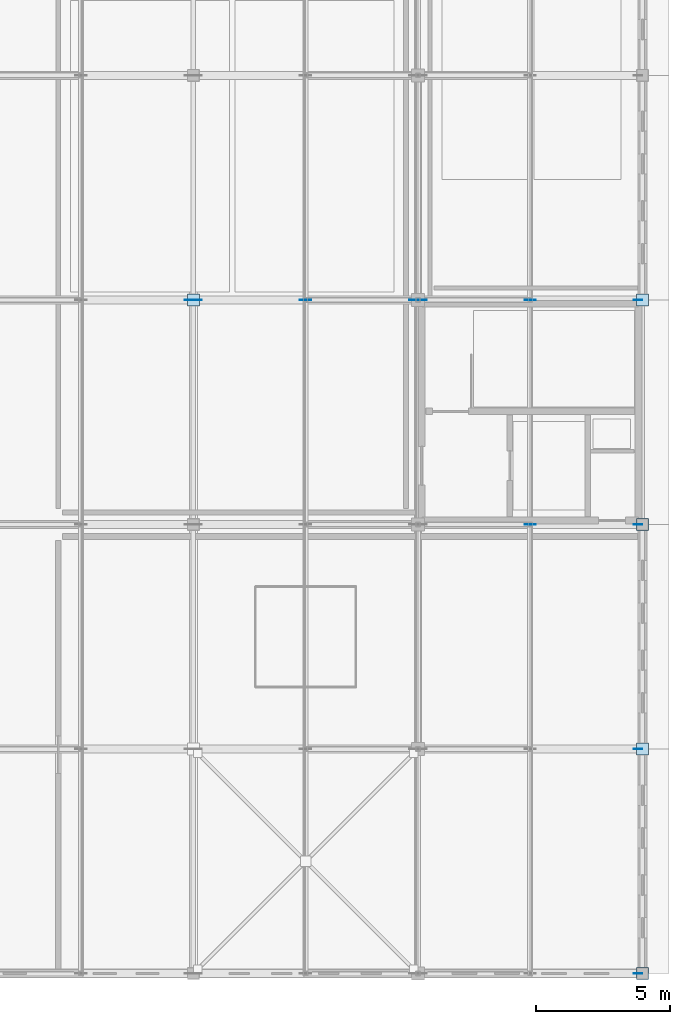
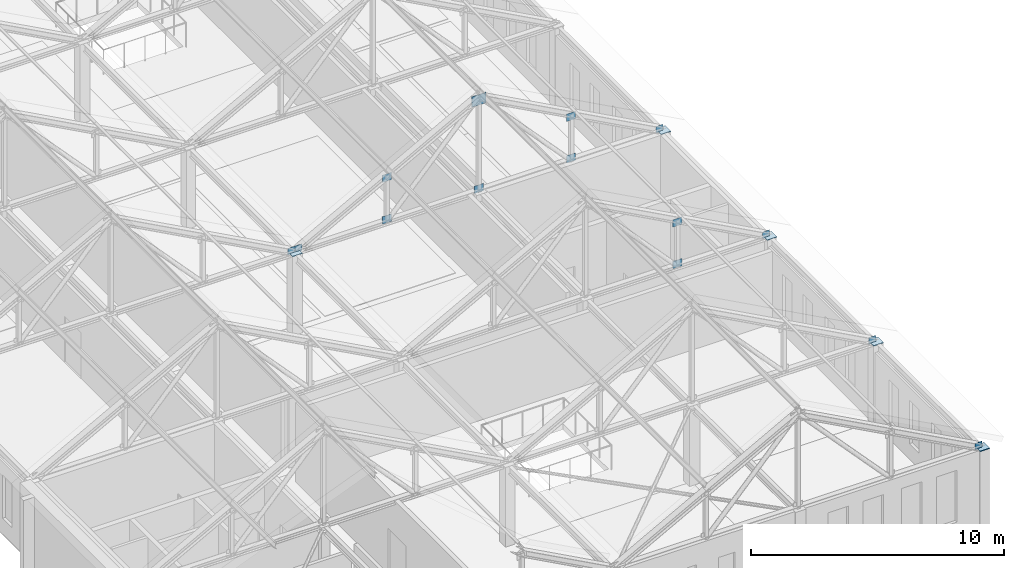
# One storey, part 21 of 36: 19 plates.
"""IFC4 building model written with IfcOpenShell, lengths in metres."""

import ifcopenshell
import ifcopenshell.guid

model = None  # the IFC model being written
_history = None  # IfcOwnerHistory: only IFC2X3 demands one
_inside = {}  # id of a spatial element -> (the spatial element, [elements in it])
_under = {}  # id of a project, library or spatial element -> (it, [spatial elements below it])
_declared = {}  # id of a project -> (the project, [libraries it declares])
_typed = {}  # id of a type object -> (the type object, [elements of that type])
_made_of = {}  # id of a material, layer set ... -> (it, [elements and type objects made of it])


def new_model(schema):
    """Start an empty IFC model of exactly this schema.

    Asked for "IFC4X3", IfcOpenShell would pick the latest addendum, in which some entities
    have other attributes; the version numbers below select the first issue.
    IFC2X3 requires an IfcOwnerHistory on every rooted entity: one is made here for all.
    """
    global model, _history
    if schema == "IFC4X3":
        model = ifcopenshell.file(schema_version=(4, 3, 0, 0))
    else:
        model = ifcopenshell.file(schema=schema)
    _inside.clear()
    _under.clear()
    _declared.clear()
    _typed.clear()
    _made_of.clear()
    _history = None
    if model.schema == "IFC2X3":
        org = make("IfcOrganization", Name="unknown")
        user = make(
            "IfcPersonAndOrganization",
            ThePerson=make("IfcPerson", FamilyName="unknown"),
            TheOrganization=org,
        )
        app = make(
            "IfcApplication",
            ApplicationDeveloper=org,
            Version="unknown",
            ApplicationFullName="unknown",
            ApplicationIdentifier="unknown",
        )
        _history = make(
            "IfcOwnerHistory",
            OwningUser=user,
            OwningApplication=app,
            ChangeAction="ADDED",
            CreationDate=0,
        )
    return model


def make(cls, **values):
    """One entity of the class cls with the attributes given. An attribute that is None is left unset."""
    return model.create_entity(
        cls, **{name: value for name, value in values.items() if value is not None}
    )


def rooted(cls, **values):
    """An entity with a GlobalId (a new one), such as an element, a storey or a relation."""
    return make(cls, GlobalId=ifcopenshell.guid.new(), OwnerHistory=_history, **values)


def si_unit(unit_type, name, prefix=None):
    """IfcSIUnit, for example si_unit("LENGTHUNIT", "METRE", prefix="MILLI")."""
    return make("IfcSIUnit", UnitType=unit_type, Prefix=prefix, Name=name)


def assignment(units):
    """IfcUnitAssignment: the units of a project."""
    return None if units is None else make("IfcUnitAssignment", Units=units)


def point(xyz):
    """IfcCartesianPoint."""
    return None if xyz is None else make("IfcCartesianPoint", Coordinates=xyz)


def direction(xyz):
    """IfcDirection."""
    return None if xyz is None else make("IfcDirection", DirectionRatios=xyz)


def frame(location, z_axis=None, x_axis=None):
    """IfcAxis2Placement3D, a coordinate frame: its origin and axes. An axis left out is left unset."""
    return make(
        "IfcAxis2Placement3D",
        Location=point(location),
        Axis=direction(z_axis),
        RefDirection=direction(x_axis),
    )


def frame_2d(location, x_axis=None):
    """IfcAxis2Placement2D, a coordinate frame in the plane: its origin and x axis."""
    return make(
        "IfcAxis2Placement2D", Location=point(location), RefDirection=direction(x_axis)
    )


def origin():
    """The frame at (0, 0, 0) with its axes left unset."""
    return frame((0.0, 0.0, 0.0))


def origin_2d():
    """The frame at (0, 0) in the plane with its x axis left unset."""
    return frame_2d((0.0, 0.0))


def place(relative_to, where):
    """IfcLocalPlacement: puts the frame where relative to a parent placement (None: the world)."""
    return make(
        "IfcLocalPlacement", PlacementRelTo=relative_to, RelativePlacement=where
    )


def context(
    kind, dimensions, precision=None, world=None, true_north=None, identifier=None
):
    """IfcGeometricRepresentationContext, for example the 3D "Model" context."""
    return make(
        "IfcGeometricRepresentationContext",
        ContextIdentifier=identifier,
        ContextType=kind,
        CoordinateSpaceDimension=dimensions,
        Precision=precision,
        WorldCoordinateSystem=world,
        TrueNorth=true_north,
    )


def subcontext(parent, identifier, kind, view, scale=None):
    """IfcGeometricRepresentationSubContext, for example "Body" below "Model"."""
    return make(
        "IfcGeometricRepresentationSubContext",
        ContextIdentifier=identifier,
        ContextType=kind,
        ParentContext=parent,
        TargetScale=scale,
        TargetView=view,
    )


def project(units=None, contexts=None):
    """IfcProject with its units and contexts."""
    return rooted(
        "IfcProject",
        Name="project",
        RepresentationContexts=contexts,
        UnitsInContext=assignment(units),
    )


def spatial(cls, under=None, at=None, **own):
    """A site, building, storey or space (cls), placed at a placement, below another one or the project."""
    s = rooted(cls, ObjectPlacement=at, **own)
    if under is not None:
        _under.setdefault(under.id(), (under, []))[1].append(s)
    return s


def profile(cls, at=None, kind="AREA", **sizes):
    """A parametric profile (cls). Its sizes go by their IFC names, for example OverallWidth=200.0."""
    return make(cls, ProfileType=kind, Position=at, **sizes)


def rectangle(**sizes):
    """IfcRectangleProfileDef."""
    return profile("IfcRectangleProfileDef", **sizes)


def extrude(swept, where, along, depth):
    """IfcExtrudedAreaSolid: the profile swept, set in the frame where, extruded along a direction by depth."""
    return make(
        "IfcExtrudedAreaSolid",
        SweptArea=swept,
        Position=where,
        ExtrudedDirection=direction(along),
        Depth=depth,
    )


def shape(context_of_items, identifier, shape_type, items):
    """IfcShapeRepresentation: the items that make up one representation, for example the "Body"."""
    return make(
        "IfcShapeRepresentation",
        ContextOfItems=context_of_items,
        RepresentationIdentifier=identifier,
        RepresentationType=shape_type,
        Items=items,
    )


def material(Name=None, Category=None):
    """IfcMaterial."""
    return make("IfcMaterial", Name=Name, Category=Category)


def layer(
    of_material, thickness, ventilated=None, Name=None, Category=None, Priority=None
):
    """IfcMaterialLayer: one layer of a wall or slab, of a material (None: an air gap)."""
    return make(
        "IfcMaterialLayer",
        Material=of_material,
        LayerThickness=thickness,
        IsVentilated=ventilated,
        Name=Name,
        Category=Category,
        Priority=Priority,
    )


def layer_set(layers, Name=None):
    """IfcMaterialLayerSet."""
    return make("IfcMaterialLayerSet", MaterialLayers=layers, LayerSetName=Name)


def made_of(thing, what):
    """Note that an element or type object is made of a material, layer set ...; save() writes the relation."""
    if what is not None:
        _made_of.setdefault(what.id(), (what, []))[1].append(thing)
    return thing


def type_object(cls, material=None, **own):
    """A type object (cls), such as IfcWallType, which elements share."""
    return made_of(rooted(cls, **own), material)


def element(
    cls,
    number,
    at=None,
    inside=None,
    cuts=None,
    type_object=None,
    material=None,
    context=None,
    identifier="Body",
    shape_type=None,
    held_by="IfcProductDefinitionShape",
    body=None,
    shapes=None,
    **own,
):
    """One element of the class cls, such as IfcWall. Its Tag is "e" and its number.

    at: its placement. inside: the storey or other place that contains it. cuts: it is an
    opening in that element (IfcRelVoidsElement). A single representation is given by context,
    identifier, shape_type and body (its items); several are given by shapes. held_by: the class
    of the entity that holds the representations. save() writes the other relations.
    """
    e = rooted(cls, Tag="e%d" % number, ObjectPlacement=at, **own)
    if body is not None:
        shapes = [shape(context, identifier, shape_type, body)]
    if shapes is not None:
        e.Representation = make(held_by, Representations=shapes)
    if inside is not None:
        _inside.setdefault(inside.id(), (inside, []))[1].append(e)
    if cuts is not None:
        rooted(
            "IfcRelVoidsElement", RelatingBuildingElement=cuts, RelatedOpeningElement=e
        )
    if type_object is not None:
        _typed.setdefault(type_object.id(), (type_object, []))[1].append(e)
    return made_of(e, material)


def aggregate(whole, parts):
    """IfcRelAggregates: a whole, such as a stair, and the parts it consists of."""
    return rooted("IfcRelAggregates", RelatingObject=whole, RelatedObjects=parts)


def save(model, path):
    """Write the relations noted so far, then the file.

    IfcRelAggregates (storeys below a building ...), IfcRelContainedInSpatialStructure (elements
    in a storey), IfcRelDefinesByType, IfcRelAssociatesMaterial and IfcRelDeclares: one each for
    every whole, place, type object, material and project.
    """
    for whole, parts in _under.values():
        aggregate(whole, parts)
    for where, things in _inside.values():
        rooted(
            "IfcRelContainedInSpatialStructure",
            RelatedElements=things,
            RelatingStructure=where,
        )
    for kind, things in _typed.values():
        rooted("IfcRelDefinesByType", RelatedObjects=things, RelatingType=kind)
    for what, things in _made_of.values():
        rooted("IfcRelAssociatesMaterial", RelatedObjects=things, RelatingMaterial=what)
    for by, libraries in _declared.values():
        rooted("IfcRelDeclares", RelatingContext=by, RelatedDefinitions=libraries)
    model.write(path)


model = new_model("IFC4")

# Units and contexts
model_context = context("Model", 3, precision=1e-05, world=origin(), true_north=direction((0.0, 1.0)))
body_context = subcontext(model_context, "Body", "Model", "MODEL_VIEW")
ifc_project = project(units=[si_unit("LENGTHUNIT", "METRE"), si_unit("AREAUNIT", "SQUARE_METRE"), si_unit("VOLUMEUNIT", "CUBIC_METRE"), si_unit("PLANEANGLEUNIT", "RADIAN"), si_unit("MASSUNIT", "GRAM", prefix="KILO")], contexts=[model_context])

# Site, building, storey
site_placement = place(None, origin())
site = spatial("IfcSite", under=ifc_project, at=site_placement, CompositionType="ELEMENT")
building_placement = place(site_placement, origin())
building = spatial("IfcBuilding", under=site, at=building_placement, Name="Kveldsbrygga Polytechnic", CompositionType="ELEMENT")
storey_placement = place(building_placement, frame((0.0, 0.0, 26.179931640625)))
storey = spatial("IfcBuildingStorey", under=building, at=storey_placement, Name="L06", CompositionType="ELEMENT", Elevation=26.179931640625)

# Plates
ifc_material = material(Name="Steel S355", Category="steel")
ifc_layer_1 = layer(ifc_material, 0.030029296875)
ifc_layer_set_1 = layer_set([ifc_layer_1], Name="Steel S355")
plate_type_1 = type_object("IfcPlateType", Name="CAP-BEAR-450", PredefinedType="SHEET", material=ifc_layer_set_1)
for number, where, z_axis, x_axis, name in (
    (1, (142.800048828125, 42.0, 3.81005859375), (0.0, 0.0, 1.0), (1.0, 0.0, 0.0), "Truss Bearing Plate V4M1-T04-B"),
    (2, (159.60009765625, 16.800048828125, 3.81005859375), (0.0, 0.0, 1.0), (1.0, 0.0, 0.0), "Truss Bearing Plate V4M2-T01-B"),
    (3, (159.60009765625, 25.199951171875, 3.81005859375), (0.0, 0.0, 1.0), (1.0, 0.0, 0.0), "Truss Bearing Plate V4M2-T02-B"),
    (4, (159.60009765625, 33.60009765625, 3.81005859375), (0.0, 0.0, 1.0), (1.0, 0.0, 0.0), "Truss Bearing Plate V4M2-T03-B"),
    (5, (159.60009765625, 42.0, 3.81005859375), (0.0, 0.0, 1.0), (1.0, 0.0, 0.0), "Truss Bearing Plate V4M2-T04-B"),
):
    element("IfcPlate", number, at=place(storey_placement, frame(where, z_axis=z_axis, x_axis=x_axis)), inside=storey, type_object=plate_type_1, Name=name, PredefinedType="SHEET", context=body_context, shape_type="SweptSolid", body=[
        extrude(rectangle(XDim=0.449951171875, YDim=0.449951171875, at=origin_2d()), origin(), (0.0, 0.0, 1.0), 0.030029296875),
    ])
ifc_layer_2 = layer(ifc_material, 0.02490234375)
ifc_layer_set_2 = layer_set([ifc_layer_2], Name="Steel S355")
plate_type_2 = type_object("IfcPlateType", Name="GUS-APEX-650", PredefinedType="SHEET", material=ifc_layer_set_2)
plate_placement = place(storey_placement, frame((151.199951171875, 42.0, 7.989990234375), z_axis=(0.0, 0.0, 1.0), x_axis=(1.0, 0.0, 0.0)))
element("IfcPlate", 6, at=plate_placement, inside=storey, type_object=plate_type_2, Name="Truss Gusset Plate V4M2-T04-GP-2", PredefinedType="SHEET", context=body_context, shape_type="SweptSolid", body=[
    extrude(rectangle(XDim=0.64990234375, YDim=0.02490234375, at=origin_2d()), origin(), (0.0, 0.0, 1.0), 0.5),
])
ifc_layer_3 = layer(ifc_material, 0.01806640625)
ifc_layer_set_3 = layer_set([ifc_layer_3], Name="Steel S355")
plate_type_3 = type_object("IfcPlateType", Name="GUS-BRACE-320", PredefinedType="SHEET", material=ifc_layer_set_3)
for number, where, z_axis, x_axis, name in (
    (7, (142.639892578125, 42.0, 3.7998046875), (0.0, 0.0, 1.0), (1.0, 0.0, 0.0), "Truss Eaves Node Gusset V4M1-T04-EGP-B"),
    (8, (159.43994140625, 16.800048828125, 3.7998046875), (0.0, 0.0, 1.0), (1.0, 0.0, 0.0), "Truss Eaves Node Gusset V4M2-T01-EGP-B"),
    (9, (159.43994140625, 25.199951171875, 3.7998046875), (0.0, 0.0, 1.0), (1.0, 0.0, 0.0), "Truss Eaves Node Gusset V4M2-T02-EGP-B"),
    (10, (159.43994140625, 33.60009765625, 3.7998046875), (0.0, 0.0, 1.0), (1.0, 0.0, 0.0), "Truss Eaves Node Gusset V4M2-T03-EGP-B"),
    (11, (142.9599609375, 42.0, 3.7998046875), (0.0, 0.0, 1.0), (1.0, 0.0, 0.0), "Truss Eaves Node Gusset V4M2-T04-EGP-A"),
    (12, (159.43994140625, 42.0, 3.7998046875), (0.0, 0.0, 1.0), (1.0, 0.0, 0.0), "Truss Eaves Node Gusset V4M2-T04-EGP-B"),
):
    element("IfcPlate", number, at=place(storey_placement, frame(where, z_axis=z_axis, x_axis=x_axis)), inside=storey, type_object=plate_type_3, Name=name, PredefinedType="SHEET", context=body_context, shape_type="SweptSolid", body=[
        extrude(rectangle(XDim=0.320068359375, YDim=0.01806640625, at=origin_2d()), origin(), (0.0, 0.0, 1.0), 0.320068359375),
    ])
ifc_layer_4 = layer(ifc_material, 0.02001953125)
ifc_layer_set_4 = layer_set([ifc_layer_4], Name="Steel S355")
plate_type_4 = type_object("IfcPlateType", Name="GUS-LECT-420", PredefinedType="SHEET", material=ifc_layer_set_4)
for number, where, z_axis, x_axis, name in (
    (13, (155.39990234375, 33.60009765625, 5.7900390625), (0.0, 0.0, 1.0), (1.0, 0.0, 0.0), "Truss Gusset Plate V4M2-T03-GP-3"),
    (14, (155.39990234375, 33.60009765625, 3.784912109375), (0.0, 0.0, 1.0), (1.0, 0.0, 0.0), "Truss Bottom-Chord Node Gusset V4M2-T03-BGP-3"),
    (15, (147.0, 42.0, 5.7900390625), (0.0, 0.0, 1.0), (1.0, 0.0, 0.0), "Truss Gusset Plate V4M2-T04-GP-1"),
    (16, (147.0, 42.0, 3.784912109375), (0.0, 0.0, 1.0), (1.0, 0.0, 0.0), "Truss Bottom-Chord Node Gusset V4M2-T04-BGP-1"),
    (17, (151.199951171875, 42.0, 3.784912109375), (0.0, 0.0, 1.0), (1.0, 0.0, 0.0), "Truss Bottom-Chord Node Gusset V4M2-T04-BGP-2"),
    (18, (155.39990234375, 42.0, 5.7900390625), (0.0, 0.0, 1.0), (1.0, 0.0, 0.0), "Truss Gusset Plate V4M2-T04-GP-3"),
    (19, (155.39990234375, 42.0, 3.784912109375), (0.0, 0.0, 1.0), (1.0, 0.0, 0.0), "Truss Bottom-Chord Node Gusset V4M2-T04-BGP-3"),
):
    element("IfcPlate", number, at=place(storey_placement, frame(where, z_axis=z_axis, x_axis=x_axis)), inside=storey, type_object=plate_type_4, Name=name, PredefinedType="SHEET", context=body_context, shape_type="SweptSolid", body=[
        extrude(rectangle(XDim=0.419921875, YDim=0.02001953125, at=origin_2d()), origin(), (0.0, 0.0, 1.0), 0.35009765625),
    ])

save(model, "model.ifc")
